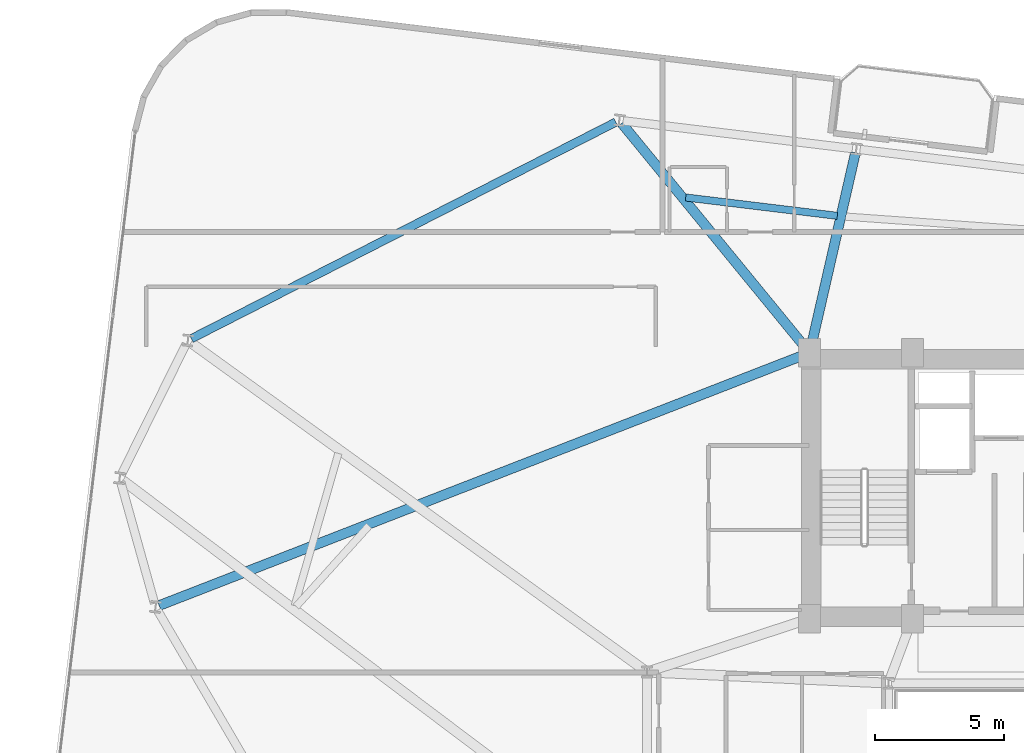
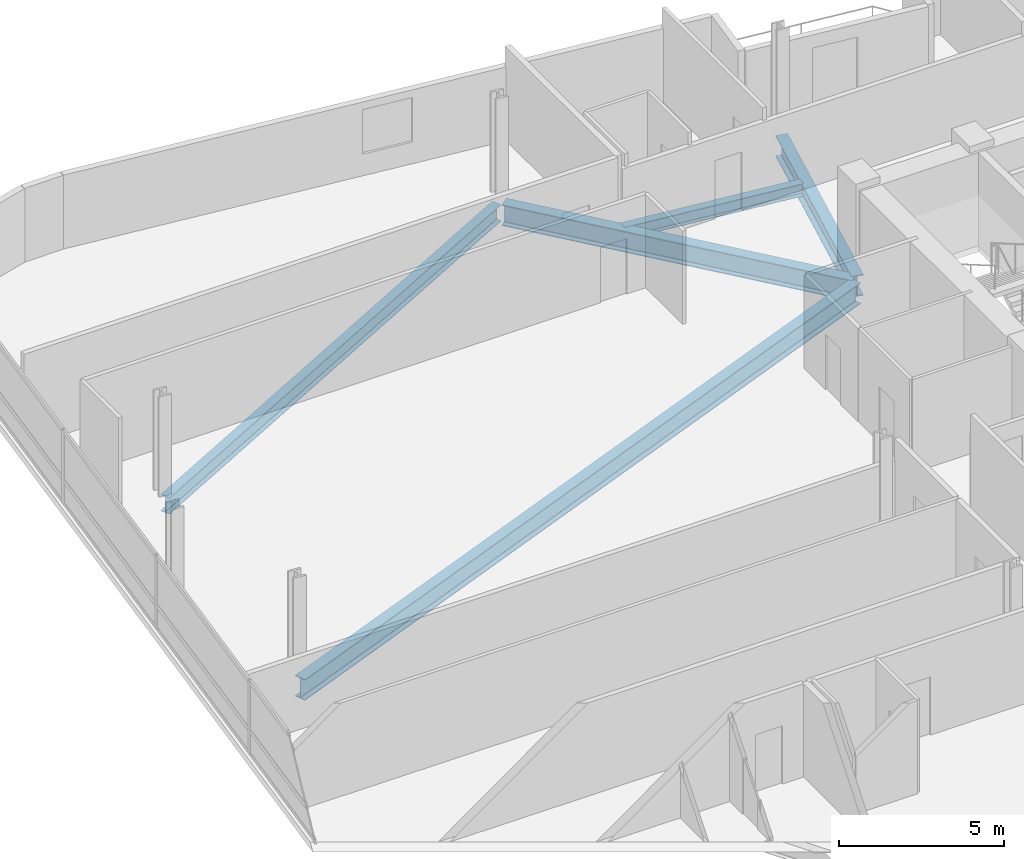
# One storey, part 11 of 26: 5 beams.
"""IFC4 building model written with IfcOpenShell, lengths in metres."""

import ifcopenshell
import ifcopenshell.guid

model = None  # the IFC model being written
_history = None  # IfcOwnerHistory: only IFC2X3 demands one
_inside = {}  # id of a spatial element -> (the spatial element, [elements in it])
_under = {}  # id of a project, library or spatial element -> (it, [spatial elements below it])
_declared = {}  # id of a project -> (the project, [libraries it declares])
_typed = {}  # id of a type object -> (the type object, [elements of that type])
_made_of = {}  # id of a material, layer set ... -> (it, [elements and type objects made of it])


def new_model(schema):
    """Start an empty IFC model of exactly this schema.

    Asked for "IFC4X3", IfcOpenShell would pick the latest addendum, in which some entities
    have other attributes; the version numbers below select the first issue.
    IFC2X3 requires an IfcOwnerHistory on every rooted entity: one is made here for all.
    """
    global model, _history
    if schema == "IFC4X3":
        model = ifcopenshell.file(schema_version=(4, 3, 0, 0))
    else:
        model = ifcopenshell.file(schema=schema)
    _inside.clear()
    _under.clear()
    _declared.clear()
    _typed.clear()
    _made_of.clear()
    _history = None
    if model.schema == "IFC2X3":
        org = make("IfcOrganization", Name="unknown")
        user = make(
            "IfcPersonAndOrganization",
            ThePerson=make("IfcPerson", FamilyName="unknown"),
            TheOrganization=org,
        )
        app = make(
            "IfcApplication",
            ApplicationDeveloper=org,
            Version="unknown",
            ApplicationFullName="unknown",
            ApplicationIdentifier="unknown",
        )
        _history = make(
            "IfcOwnerHistory",
            OwningUser=user,
            OwningApplication=app,
            ChangeAction="ADDED",
            CreationDate=0,
        )
    return model


def make(cls, **values):
    """One entity of the class cls with the attributes given. An attribute that is None is left unset."""
    return model.create_entity(
        cls, **{name: value for name, value in values.items() if value is not None}
    )


def rooted(cls, **values):
    """An entity with a GlobalId (a new one), such as an element, a storey or a relation."""
    return make(cls, GlobalId=ifcopenshell.guid.new(), OwnerHistory=_history, **values)


def si_unit(unit_type, name, prefix=None):
    """IfcSIUnit, for example si_unit("LENGTHUNIT", "METRE", prefix="MILLI")."""
    return make("IfcSIUnit", UnitType=unit_type, Prefix=prefix, Name=name)


def assignment(units):
    """IfcUnitAssignment: the units of a project."""
    return None if units is None else make("IfcUnitAssignment", Units=units)


def point(xyz):
    """IfcCartesianPoint."""
    return None if xyz is None else make("IfcCartesianPoint", Coordinates=xyz)


def direction(xyz):
    """IfcDirection."""
    return None if xyz is None else make("IfcDirection", DirectionRatios=xyz)


def frame(location, z_axis=None, x_axis=None):
    """IfcAxis2Placement3D, a coordinate frame: its origin and axes. An axis left out is left unset."""
    return make(
        "IfcAxis2Placement3D",
        Location=point(location),
        Axis=direction(z_axis),
        RefDirection=direction(x_axis),
    )


def frame_2d(location, x_axis=None):
    """IfcAxis2Placement2D, a coordinate frame in the plane: its origin and x axis."""
    return make(
        "IfcAxis2Placement2D", Location=point(location), RefDirection=direction(x_axis)
    )


def origin():
    """The frame at (0, 0, 0) with its axes left unset."""
    return frame((0.0, 0.0, 0.0))


def origin_2d():
    """The frame at (0, 0) in the plane with its x axis left unset."""
    return frame_2d((0.0, 0.0))


def place(relative_to, where):
    """IfcLocalPlacement: puts the frame where relative to a parent placement (None: the world)."""
    return make(
        "IfcLocalPlacement", PlacementRelTo=relative_to, RelativePlacement=where
    )


def context(
    kind, dimensions, precision=None, world=None, true_north=None, identifier=None
):
    """IfcGeometricRepresentationContext, for example the 3D "Model" context."""
    return make(
        "IfcGeometricRepresentationContext",
        ContextIdentifier=identifier,
        ContextType=kind,
        CoordinateSpaceDimension=dimensions,
        Precision=precision,
        WorldCoordinateSystem=world,
        TrueNorth=true_north,
    )


def subcontext(parent, identifier, kind, view, scale=None):
    """IfcGeometricRepresentationSubContext, for example "Body" below "Model"."""
    return make(
        "IfcGeometricRepresentationSubContext",
        ContextIdentifier=identifier,
        ContextType=kind,
        ParentContext=parent,
        TargetScale=scale,
        TargetView=view,
    )


def project(units=None, contexts=None):
    """IfcProject with its units and contexts."""
    return rooted(
        "IfcProject",
        Name="project",
        RepresentationContexts=contexts,
        UnitsInContext=assignment(units),
    )


def spatial(cls, under=None, at=None, **own):
    """A site, building, storey or space (cls), placed at a placement, below another one or the project."""
    s = rooted(cls, ObjectPlacement=at, **own)
    if under is not None:
        _under.setdefault(under.id(), (under, []))[1].append(s)
    return s


def profile(cls, at=None, kind="AREA", **sizes):
    """A parametric profile (cls). Its sizes go by their IFC names, for example OverallWidth=200.0."""
    return make(cls, ProfileType=kind, Position=at, **sizes)


def i_section(**sizes):
    """IfcIShapeProfileDef."""
    return profile("IfcIShapeProfileDef", **sizes)


def extrude(swept, where, along, depth):
    """IfcExtrudedAreaSolid: the profile swept, set in the frame where, extruded along a direction by depth."""
    return make(
        "IfcExtrudedAreaSolid",
        SweptArea=swept,
        Position=where,
        ExtrudedDirection=direction(along),
        Depth=depth,
    )


def shape(context_of_items, identifier, shape_type, items):
    """IfcShapeRepresentation: the items that make up one representation, for example the "Body"."""
    return make(
        "IfcShapeRepresentation",
        ContextOfItems=context_of_items,
        RepresentationIdentifier=identifier,
        RepresentationType=shape_type,
        Items=items,
    )


def material(Name=None, Category=None):
    """IfcMaterial."""
    return make("IfcMaterial", Name=Name, Category=Category)


def material_profile(
    of_material, cross_section, Name=None, Category=None, Priority=None
):
    """IfcMaterialProfile: a cross section and its material."""
    return make(
        "IfcMaterialProfile",
        Name=Name,
        Material=of_material,
        Profile=cross_section,
        Priority=Priority,
        Category=Category,
    )


def profile_set(profiles, Name=None, composite=None):
    """IfcMaterialProfileSet."""
    return make(
        "IfcMaterialProfileSet",
        Name=Name,
        MaterialProfiles=profiles,
        CompositeProfile=composite,
    )


def made_of(thing, what):
    """Note that an element or type object is made of a material, layer set ...; save() writes the relation."""
    if what is not None:
        _made_of.setdefault(what.id(), (what, []))[1].append(thing)
    return thing


def type_object(cls, material=None, **own):
    """A type object (cls), such as IfcWallType, which elements share."""
    return made_of(rooted(cls, **own), material)


def element(
    cls,
    number,
    at=None,
    inside=None,
    cuts=None,
    type_object=None,
    material=None,
    context=None,
    identifier="Body",
    shape_type=None,
    held_by="IfcProductDefinitionShape",
    body=None,
    shapes=None,
    **own,
):
    """One element of the class cls, such as IfcWall. Its Tag is "e" and its number.

    at: its placement. inside: the storey or other place that contains it. cuts: it is an
    opening in that element (IfcRelVoidsElement). A single representation is given by context,
    identifier, shape_type and body (its items); several are given by shapes. held_by: the class
    of the entity that holds the representations. save() writes the other relations.
    """
    e = rooted(cls, Tag="e%d" % number, ObjectPlacement=at, **own)
    if body is not None:
        shapes = [shape(context, identifier, shape_type, body)]
    if shapes is not None:
        e.Representation = make(held_by, Representations=shapes)
    if inside is not None:
        _inside.setdefault(inside.id(), (inside, []))[1].append(e)
    if cuts is not None:
        rooted(
            "IfcRelVoidsElement", RelatingBuildingElement=cuts, RelatedOpeningElement=e
        )
    if type_object is not None:
        _typed.setdefault(type_object.id(), (type_object, []))[1].append(e)
    return made_of(e, material)


def aggregate(whole, parts):
    """IfcRelAggregates: a whole, such as a stair, and the parts it consists of."""
    return rooted("IfcRelAggregates", RelatingObject=whole, RelatedObjects=parts)


def save(model, path):
    """Write the relations noted so far, then the file.

    IfcRelAggregates (storeys below a building ...), IfcRelContainedInSpatialStructure (elements
    in a storey), IfcRelDefinesByType, IfcRelAssociatesMaterial and IfcRelDeclares: one each for
    every whole, place, type object, material and project.
    """
    for whole, parts in _under.values():
        aggregate(whole, parts)
    for where, things in _inside.values():
        rooted(
            "IfcRelContainedInSpatialStructure",
            RelatedElements=things,
            RelatingStructure=where,
        )
    for kind, things in _typed.values():
        rooted("IfcRelDefinesByType", RelatedObjects=things, RelatingType=kind)
    for what, things in _made_of.values():
        rooted("IfcRelAssociatesMaterial", RelatedObjects=things, RelatingMaterial=what)
    for by, libraries in _declared.values():
        rooted("IfcRelDeclares", RelatingContext=by, RelatedDefinitions=libraries)
    model.write(path)


model = new_model("IFC4")

# Units and contexts
model_context = context("Model", 3, precision=1e-05, world=origin(), true_north=direction((0.0, 1.0)))
body_context = subcontext(model_context, "Body", "Model", "MODEL_VIEW")
ifc_project = project(units=[si_unit("LENGTHUNIT", "METRE"), si_unit("AREAUNIT", "SQUARE_METRE"), si_unit("VOLUMEUNIT", "CUBIC_METRE"), si_unit("PLANEANGLEUNIT", "RADIAN"), si_unit("MASSUNIT", "GRAM", prefix="KILO")], contexts=[model_context])

# Site, building, storey
site_placement = place(None, origin())
site = spatial("IfcSite", under=ifc_project, at=site_placement, CompositionType="ELEMENT")
building_placement = place(site_placement, origin())
building = spatial("IfcBuilding", under=site, at=building_placement, Name="Varnelok Gate Tower", CompositionType="ELEMENT")
storey_placement = place(building_placement, frame((0.0, 0.0, 143.89990234375)))
storey = spatial("IfcBuildingStorey", under=building, at=storey_placement, Name="L36", CompositionType="ELEMENT", Elevation=143.89990234375)

# Beams
ifc_material = material(Name="Structural Steel ASTM A992 Grade 50", Category="steel")
ifc_material_profile_1 = material_profile(ifc_material, i_section(OverallWidth=0.280029296875, OverallDepth=0.462890625, WebThickness=0.0107421875, FlangeThickness=0.017333984375, FilletRadius=0.014892578125, at=origin_2d()), Name="W18X76")
ifc_profile_set_1 = profile_set([ifc_material_profile_1], Name="Structural Steel ASTM A992 Grade 50")
beam_type_1 = type_object("IfcBeamType", Name="BM-JST-W18X76", PredefinedType="JOIST", material=ifc_profile_set_1)
beam_1_placement = place(storey_placement, frame((31.77099609375, 44.35498046875, -0.4814453125), z_axis=(-0.992731840387, 0.120347385022, 0.0), x_axis=(-0.120347385022, -0.992731840387, 0.0)))
element("IfcBeam", 1, at=beam_1_placement, inside=storey, type_object=beam_type_1, Name="L36 Sector Floor Joist 10", PredefinedType="JOIST", context=body_context, shape_type="SweptSolid", body=[
    extrude(i_section(OverallWidth=0.280029296875, OverallDepth=0.462890625, WebThickness=0.0107421875, FlangeThickness=0.017333984375, FilletRadius=0.014892578125, at=origin_2d()), origin(), (0.0, 0.0, 1.0), 5.91748046875),
])
ifc_material_profile_2 = material_profile(ifc_material, i_section(OverallWidth=0.381103515625, OverallDepth=0.77294921875, WebThickness=0.0166015625, FlangeThickness=0.027099609375, FilletRadius=0.02197265625, at=origin_2d()), Name="W30X173")
ifc_profile_set_2 = profile_set([ifc_material_profile_2], Name="Structural Steel ASTM A992 Grade 50")
beam_type_2 = type_object("IfcBeamType", Name="BM-PRI-W30X173", PredefinedType="BEAM", material=ifc_profile_set_2)
beam_2_placement = place(storey_placement, frame((30.7333984375, 39.1962890625, -0.636474609375), z_axis=(0.223043307507, 0.974808536573, 0.0), x_axis=(-0.974808536573, 0.223043307507, 0.0)))
element("IfcBeam", 2, at=beam_2_placement, inside=storey, type_object=beam_type_2, Name="L36 Radial Floor Girder 12", PredefinedType="BEAM", context=body_context, shape_type="SweptSolid", body=[
    extrude(i_section(OverallWidth=0.381103515625, OverallDepth=0.77294921875, WebThickness=0.0166015625, FlangeThickness=0.027099609375, FilletRadius=0.02197265625, at=origin_2d()), origin(), (0.0, 0.0, 1.0), 7.796875),
])
beam_3_placement = place(storey_placement, frame((30.60498046875, 39.166015625, -0.636474609375), z_axis=(-0.633655000371, 0.773615757663, 0.0), x_axis=(-0.773615757663, -0.633655000371, 0.0)))
element("IfcBeam", 3, at=beam_3_placement, inside=storey, type_object=beam_type_2, Name="L36 Radial Floor Girder 13", PredefinedType="BEAM", context=body_context, shape_type="SweptSolid", body=[
    extrude(i_section(OverallWidth=0.381103515625, OverallDepth=0.77294921875, WebThickness=0.0166015625, FlangeThickness=0.027099609375, FilletRadius=0.02197265625, at=origin_2d()), origin(), (0.0, 0.0, 1.0), 11.341796875),
])
beam_4_placement = place(storey_placement, frame((30.560302734375, 38.99560546875, -0.636474609375), z_axis=(-0.93209869119, -0.362204403454, 0.0), x_axis=(0.362204403454, -0.93209869119, 0.0)))
element("IfcBeam", 4, at=beam_4_placement, inside=storey, type_object=beam_type_2, Name="L36 Radial Floor Girder 16", PredefinedType="BEAM", context=body_context, shape_type="SweptSolid", body=[
    extrude(i_section(OverallWidth=0.381103515625, OverallDepth=0.77294921875, WebThickness=0.0166015625, FlangeThickness=0.027099609375, FilletRadius=0.02197265625, at=origin_2d()), origin(), (0.0, 0.0, 1.0), 26.890869140625),
])
ifc_material_profile_3 = material_profile(ifc_material, i_section(OverallWidth=0.323974609375, OverallDepth=0.611083984375, WebThickness=0.0126953125, FlangeThickness=0.01904296875, FilletRadius=0.01806640625, at=origin_2d()), Name="W24X104")
ifc_profile_set_3 = profile_set([ifc_material_profile_3], Name="Structural Steel ASTM A992 Grade 50")
beam_type_3 = type_object("IfcBeamType", Name="BM-SPN-W24X104", PredefinedType="SPANDREL", material=ifc_profile_set_3)
beam_5_placement = place(storey_placement, frame((23.189697265625, 47.98779296875, -0.555419921875), z_axis=(-0.890729755615, -0.454533279819, 0.0), x_axis=(0.454533279819, -0.890729755615, 0.0)))
element("IfcBeam", 5, at=beam_5_placement, inside=storey, type_object=beam_type_3, Name="L36 Perimeter Spandrel Beam 13", PredefinedType="SPANDREL", context=body_context, shape_type="SweptSolid", body=[
    extrude(i_section(OverallWidth=0.323974609375, OverallDepth=0.611083984375, WebThickness=0.0126953125, FlangeThickness=0.01904296875, FilletRadius=0.01806640625, at=origin_2d()), origin(), (0.0, 0.0, 1.0), 18.466796875),
])

save(model, "model.ifc")
